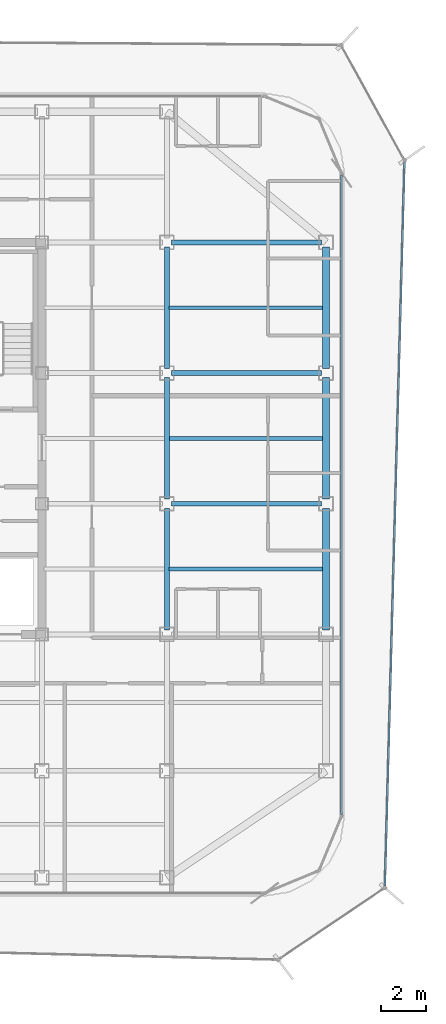
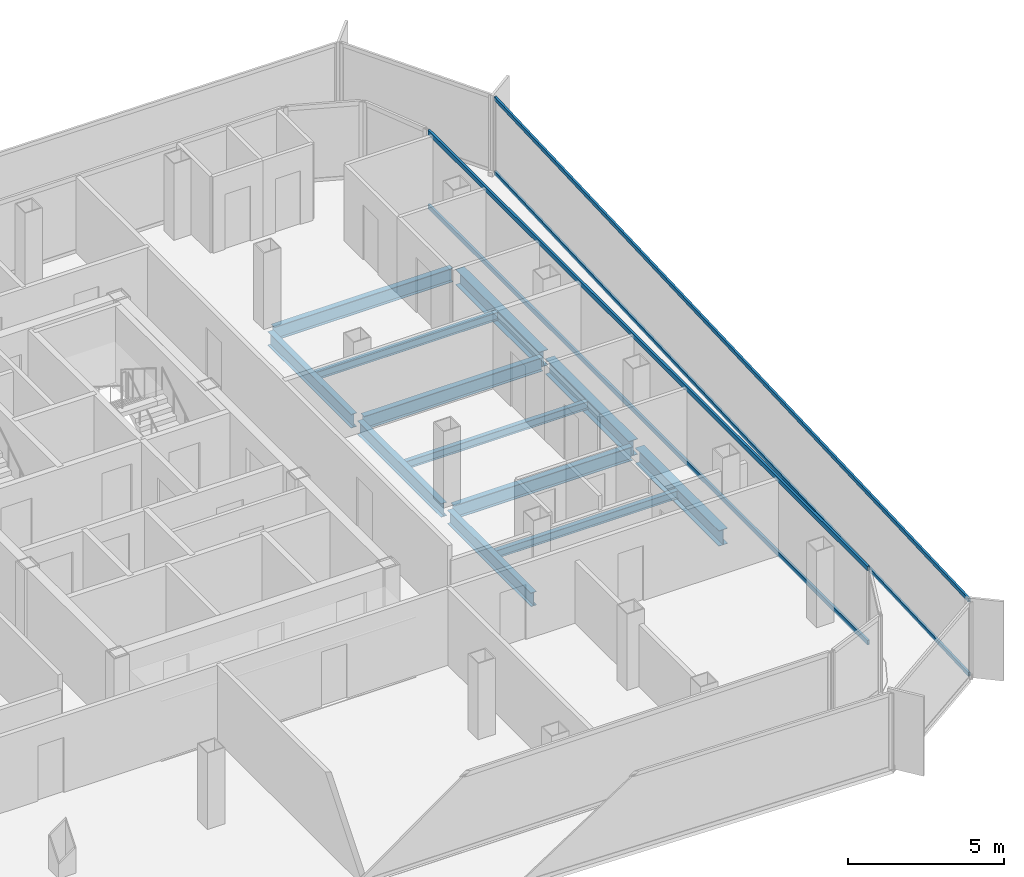
# One storey, part 5 of 15: 12 beams, 4 members, 2 elements without a shape of their own.
"""IFC4 building model written with IfcOpenShell, lengths in metres."""

from ifc_helpers import new_model, si_unit, direction, frame, origin, origin_2d, place, context, subcontext, project, spatial, hollow_rectangle, i_section, extrude, source, transform, mapped, material, layer, layer_set, material_profile, profile_set, type_object, element, aggregate, save


model = new_model("IFC4")

# Units and contexts
model_context = context("Model", 3, precision=1e-05, world=origin(), true_north=direction((0.0, 1.0)))
body_context = subcontext(model_context, "Body", "Model", "MODEL_VIEW")
ifc_project = project(units=[si_unit("LENGTHUNIT", "METRE"), si_unit("AREAUNIT", "SQUARE_METRE"), si_unit("VOLUMEUNIT", "CUBIC_METRE"), si_unit("PLANEANGLEUNIT", "RADIAN"), si_unit("MASSUNIT", "GRAM", prefix="KILO")], contexts=[model_context])

# Site, building, storey
site_placement = place(None, origin())
site = spatial("IfcSite", under=ifc_project, at=site_placement, CompositionType="ELEMENT")
building_placement = place(site_placement, origin())
building = spatial("IfcBuilding", under=site, at=building_placement, Name="Kolveth Station Tower", CompositionType="ELEMENT")
storey_placement = place(building_placement, frame((0.0, 0.0, 268.10009765625)))
storey = spatial("IfcBuildingStorey", under=building, at=storey_placement, Name="L77", CompositionType="ELEMENT", Elevation=268.10009765625)

# Beams
ifc_material_1 = material(Name="Steel S355", Category="steel")
ifc_material_profile_1 = material_profile(ifc_material_1, i_section(OverallWidth=0.323974609375, OverallDepth=0.611083984375, WebThickness=0.0126953125, FlangeThickness=0.01904296875, at=origin_2d()), Name="W610x155")
ifc_profile_set_1 = profile_set([ifc_material_profile_1], Name="Steel S355")
beam_type_1 = type_object("IfcBeamType", Name="Beam_SP2", PredefinedType="SPANDREL", material=ifc_profile_set_1)
shared_shape_1 = source(origin(), body_context, "Body", "SweptSolid", [
    extrude(i_section(OverallWidth=0.323974609375, OverallDepth=0.611083984375, WebThickness=0.0126953125, FlangeThickness=0.01904296875, at=origin_2d()), origin(), (0.0, 0.0, 1.0), 5.35009765625),
])
for number, where, z_axis, x_axis, name in (
    (1, (41.0, 11.699951171875, -0.525634765625), (0.0, 1.0, 0.0), (-1.0, 0.0, 0.0), "L77 Perimeter Spandrel BM-L77-PE-2"),
    (2, (41.0, 17.449951171875, -0.525634765625), (0.0, 1.0, 0.0), (-1.0, 0.0, 0.0), "L77 Perimeter Spandrel BM-L77-PE-3"),
    (3, (41.0, 23.199951171875, -0.525634765625), (0.0, 1.0, 0.0), (-1.0, 0.0, 0.0), "L77 Perimeter Spandrel BM-L77-PE-4"),
):
    element("IfcBeam", number, at=place(storey_placement, frame(where, z_axis=z_axis, x_axis=x_axis)), inside=storey, type_object=beam_type_1, Name=name, PredefinedType="SPANDREL", context=body_context, shape_type="MappedRepresentation", body=[
        mapped(shared_shape_1, transform((0.0, 0.0, 0.0), x_axis=(1.0, 0.0, 0.0), y_axis=(0.0, 1.0, 0.0), z_axis=(0.0, 0.0, 1.0), scale=1.0)),
    ])
ifc_material_profile_2 = material_profile(ifc_material_1, i_section(OverallWidth=0.2099609375, OverallDepth=0.537109375, WebThickness=0.010986328125, FlangeThickness=0.017333984375, at=origin_2d()), Name="W530x101")
ifc_profile_set_2 = profile_set([ifc_material_profile_2], Name="Steel S355")
beam_type_2 = type_object("IfcBeamType", Name="Beam_B6", PredefinedType="BEAM", material=ifc_profile_set_2)
shared_shape_2 = source(origin(), body_context, "Body", "SweptSolid", [
    extrude(i_section(OverallWidth=0.2099609375, OverallDepth=0.537109375, WebThickness=0.010986328125, FlangeThickness=0.017333984375, at=origin_2d()), origin(), (0.0, 0.0, 1.0), 6.60009765625),
])
for number, where, z_axis, x_axis, name in (
    (4, (34.199951171875, 17.25, -0.488525390625), (1.0, 0.0, 0.0), (0.0, 1.0, 0.0), "L77 Primary Girder BM-L77-GY172-5"),
    (5, (34.199951171875, 23.0, -0.488525390625), (1.0, 0.0, 0.0), (0.0, 1.0, 0.0), "L77 Primary Girder BM-L77-GY230-5"),
    (6, (34.199951171875, 28.75, -0.488525390625), (1.0, 0.0, 0.0), (0.0, 1.0, 0.0), "L77 Primary Girder BM-L77-GY287-5"),
):
    element("IfcBeam", number, at=place(storey_placement, frame(where, z_axis=z_axis, x_axis=x_axis)), inside=storey, type_object=beam_type_2, Name=name, PredefinedType="BEAM", context=body_context, shape_type="MappedRepresentation", body=[
        mapped(shared_shape_2, transform((0.0, 0.0, 0.0), x_axis=(1.0, 0.0, 0.0), y_axis=(0.0, 1.0, 0.0), z_axis=(0.0, 0.0, 1.0), scale=1.0)),
    ])
shared_shape_3 = source(origin(), body_context, "Body", "SweptSolid", [
    extrude(i_section(OverallWidth=0.2099609375, OverallDepth=0.537109375, WebThickness=0.010986328125, FlangeThickness=0.017333984375, at=origin_2d()), origin(), (0.0, 0.0, 1.0), 5.35009765625),
])
for number, where, z_axis, x_axis, name in (
    (7, (34.0, 11.699951171875, -0.488525390625), (0.0, 1.0, 0.0), (-1.0, 0.0, 0.0), "L77 Primary Girder BM-L77-GX340-3"),
    (8, (34.0, 17.449951171875, -0.488525390625), (0.0, 1.0, 0.0), (-1.0, 0.0, 0.0), "L77 Primary Girder BM-L77-GX340-4"),
    (9, (34.0, 23.199951171875, -0.488525390625), (0.0, 1.0, 0.0), (-1.0, 0.0, 0.0), "L77 Primary Girder BM-L77-GX340-5"),
):
    element("IfcBeam", number, at=place(storey_placement, frame(where, z_axis=z_axis, x_axis=x_axis)), inside=storey, type_object=beam_type_2, Name=name, PredefinedType="BEAM", context=body_context, shape_type="MappedRepresentation", body=[
        mapped(shared_shape_3, transform((0.0, 0.0, 0.0), x_axis=(1.0, 0.0, 0.0), y_axis=(0.0, 1.0, 0.0), z_axis=(0.0, 0.0, 1.0), scale=1.0)),
    ])
ifc_material_profile_3 = material_profile(ifc_material_1, i_section(OverallWidth=0.1650390625, OverallDepth=0.31005859375, WebThickness=0.005859375, FlangeThickness=0.009765625, at=origin_2d()), Name="W310x39")
ifc_profile_set_3 = profile_set([ifc_material_profile_3], Name="Steel S355")
beam_type_3 = type_object("IfcBeamType", Name="Beam_J3", PredefinedType="JOIST", material=ifc_profile_set_3)
shared_shape_4 = source(origin(), body_context, "Body", "SweptSolid", [
    extrude(i_section(OverallWidth=0.1650390625, OverallDepth=0.31005859375, WebThickness=0.005859375, FlangeThickness=0.009765625, at=origin_2d()), origin(), (0.0, 0.0, 1.0), 6.737060546875),
])
for number, where, z_axis, x_axis, name in (
    (10, (34.10302734375, 14.375, -0.375), (1.0, 0.0, 0.0), (0.0, 1.0, 0.0), "L77 Secondary Joist JST-L77-5-3"),
    (11, (34.10302734375, 20.125, -0.375), (1.0, 0.0, 0.0), (0.0, 1.0, 0.0), "L77 Secondary Joist JST-L77-5-4"),
    (12, (34.10302734375, 25.875, -0.375), (1.0, 0.0, 0.0), (0.0, 1.0, 0.0), "L77 Secondary Joist JST-L77-5-5"),
):
    element("IfcBeam", number, at=place(storey_placement, frame(where, z_axis=z_axis, x_axis=x_axis)), inside=storey, type_object=beam_type_3, Name=name, PredefinedType="JOIST", context=body_context, shape_type="MappedRepresentation", body=[
        mapped(shared_shape_4, transform((0.0, 0.0, 0.0), x_axis=(1.0, 0.0, 0.0), y_axis=(0.0, 1.0, 0.0), z_axis=(0.0, 0.0, 1.0), scale=1.0)),
    ])

# Curtain wall, members
ifc_material_2 = material(Name="Aluminium 6063-T6 and triple low-E dark glass", Category="aluminium")
ifc_layer_1 = layer(ifc_material_2, 0.199951171875)
ifc_layer_set_1 = layer_set([ifc_layer_1], Name="Aluminium 6063-T6 and triple low-E dark glass")
curtain_wall_type_1 = type_object("IfcCurtainWallType", Name="CurtainWall_CW-Z3", PredefinedType="NOTDEFINED", material=ifc_layer_set_1)
curtain_wall_1_placement = place(storey_placement, origin())
curtain_wall_1 = element("IfcCurtainWall", 13, at=curtain_wall_1_placement, inside=storey, type_object=curtain_wall_type_1, Name="L77 Inner Thermal Curtain Wall 3", PredefinedType="NOTDEFINED")
ifc_material_3 = material(Name="Black anodized aluminium 6063-T6", Category="aluminium")
ifc_material_profile_4 = material_profile(ifc_material_3, hollow_rectangle(XDim=0.0849609375, YDim=0.179931640625, WallThickness=0.0048828125, at=origin_2d()), Name="ALU-85x180x5")
ifc_profile_set_4 = profile_set([ifc_material_profile_4], Name="Black anodized aluminium 6063-T6")
member_type_1 = type_object("IfcMemberType", Name="Transom_TR3", PredefinedType="USERDEFINED", material=ifc_profile_set_4)
shared_shape_5 = source(origin(), body_context, "Body", "SweptSolid", [
    extrude(hollow_rectangle(XDim=0.0849609375, YDim=0.179931640625, WallThickness=0.0048828125, at=origin_2d()), origin(), (0.0, 0.0, 1.0), 28.130126953125),
])
member_1_placement = place(storey_placement, frame((41.679931640625, 3.5849609375, 0.04248046875), z_axis=(0.0, 1.0, 0.0), x_axis=(-1.0, 0.0, 0.0)))
member_1 = element("IfcMember", 14, at=member_1_placement, type_object=member_type_1, Name="CW-Z3 transom 1.1", ObjectType="TRANSOM", PredefinedType="USERDEFINED", context=body_context, shape_type="MappedRepresentation", body=[
    mapped(shared_shape_5, transform((0.0, 0.0, 0.0), x_axis=(1.0, 0.0, 0.0), y_axis=(0.0, 1.0, 0.0), z_axis=(0.0, 0.0, 1.0), scale=1.0)),
])
member_2_placement = place(storey_placement, frame((41.679931640625, 3.5849609375, 2.9375), z_axis=(0.0, 1.0, 0.0), x_axis=(-1.0, 0.0, 0.0)))
member_2 = element("IfcMember", 15, at=member_2_placement, type_object=member_type_1, Name="CW-Z3 transom 1.2", ObjectType="TRANSOM", PredefinedType="USERDEFINED", context=body_context, shape_type="MappedRepresentation", body=[
    mapped(shared_shape_5, transform((0.0, 0.0, 0.0), x_axis=(1.0, 0.0, 0.0), y_axis=(0.0, 1.0, 0.0), z_axis=(0.0, 0.0, 1.0), scale=1.0)),
])
aggregate(curtain_wall_1, [member_1, member_2])

ifc_material_4 = material(Name="Black anodized aluminium 6063-T6 and dark solar glass", Category="aluminium")
ifc_layer_2 = layer(ifc_material_4, 0.159912109375)
ifc_layer_set_2 = layer_set([ifc_layer_2], Name="Black anodized aluminium 6063-T6 and dark solar glass")
curtain_wall_type_2 = type_object("IfcCurtainWallType", Name="OUTER SKIN CW-OS", PredefinedType="NOTDEFINED", material=ifc_layer_set_2)
curtain_wall_2_placement = place(storey_placement, origin())
curtain_wall_2 = element("IfcCurtainWall", 16, at=curtain_wall_2_placement, inside=storey, type_object=curtain_wall_type_2, Name="L77 Outer Ventilated Skin Curtain Wall 2", PredefinedType="NOTDEFINED")
ifc_material_profile_5 = material_profile(ifc_material_3, hollow_rectangle(XDim=0.080078125, YDim=0.14990234375, WallThickness=0.0048828125, at=origin_2d()), Name="ALU-80x150x5")
ifc_profile_set_5 = profile_set([ifc_material_profile_5], Name="Black anodized aluminium 6063-T6")
member_type_2 = type_object("IfcMemberType", Name="Transom_TR-OS", PredefinedType="USERDEFINED", material=ifc_profile_set_5)
shared_shape_6 = source(origin(), body_context, "Body", "SweptSolid", [
    extrude(hollow_rectangle(XDim=0.080078125, YDim=0.14990234375, WallThickness=0.0048828125, at=origin_2d()), origin(), (0.0, 0.0, 1.0), 31.842041015625),
])
member_3_placement = place(storey_placement, frame((43.592041015625, 0.439453125, 0.039794921875), z_axis=(0.027080732322, 0.999633249716, 0.0), x_axis=(-0.999633249716, 0.027080732322, 0.0)))
member_3 = element("IfcMember", 17, at=member_3_placement, type_object=member_type_2, Name="CW-OS transom 1.1", ObjectType="TRANSOM", PredefinedType="USERDEFINED", context=body_context, shape_type="MappedRepresentation", body=[
    mapped(shared_shape_6, transform((0.0, 0.0, 0.0), x_axis=(1.0, 0.0, 0.0), y_axis=(0.0, 1.0, 0.0), z_axis=(0.0, 0.0, 1.0), scale=1.0)),
])
member_4_placement = place(storey_placement, frame((43.592041015625, 0.439453125, 2.93994140625), z_axis=(0.027080732322, 0.999633249716, 0.0), x_axis=(-0.999633249716, 0.027080732322, 0.0)))
member_4 = element("IfcMember", 18, at=member_4_placement, type_object=member_type_2, Name="CW-OS transom 1.2", ObjectType="TRANSOM", PredefinedType="USERDEFINED", context=body_context, shape_type="MappedRepresentation", body=[
    mapped(shared_shape_6, transform((0.0, 0.0, 0.0), x_axis=(1.0, 0.0, 0.0), y_axis=(0.0, 1.0, 0.0), z_axis=(0.0, 0.0, 1.0), scale=1.0)),
])
aggregate(curtain_wall_2, [member_3, member_4])

save(model, "model.ifc")
